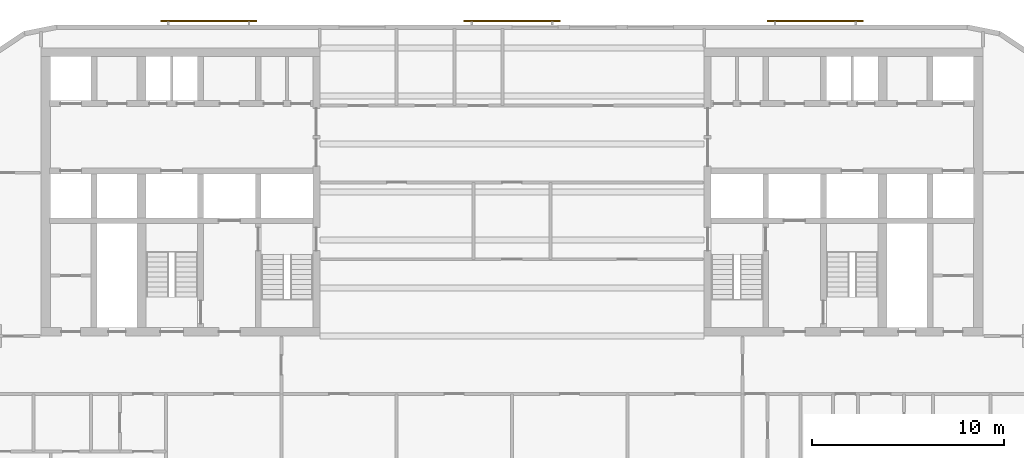
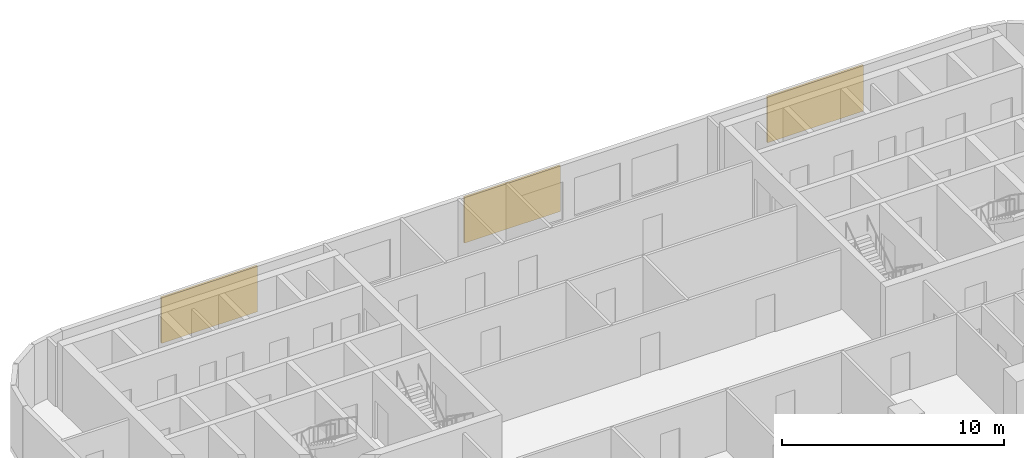
# One storey, part 11 of 12: 3 shading devices.
"""IFC4 building model written with IfcOpenShell, lengths in metres."""

from ifc_helpers import new_model, si_unit, direction, frame, origin, origin_2d, place, context, subcontext, project, spatial, rectangle, extrude, material, layer, layer_set, type_object, element, save


model = new_model("IFC4")

# Units and contexts
model_context = context("Model", 3, precision=1e-05, world=origin(), true_north=direction((0.0, 1.0)))
body_context = subcontext(model_context, "Body", "Model", "MODEL_VIEW")
ifc_project = project(units=[si_unit("LENGTHUNIT", "METRE"), si_unit("AREAUNIT", "SQUARE_METRE"), si_unit("VOLUMEUNIT", "CUBIC_METRE"), si_unit("PLANEANGLEUNIT", "RADIAN"), si_unit("MASSUNIT", "GRAM", prefix="KILO")], contexts=[model_context])

# Site, building, storey
site_placement = place(None, origin())
site = spatial("IfcSite", under=ifc_project, at=site_placement, CompositionType="ELEMENT")
building_placement = place(site_placement, origin())
building = spatial("IfcBuilding", under=site, at=building_placement, Name="Torana Hotel and Residences", CompositionType="ELEMENT")
storey_placement = place(building_placement, frame((0.0, 0.0, 156.0)))
storey = spatial("IfcBuildingStorey", under=building, at=storey_placement, Name="L40", CompositionType="ELEMENT", Elevation=156.0)

# Shading devices
ifc_material = material(Name="Concrete C40/50 precast", Category="concrete")
ifc_layer = layer(ifc_material, 0.10009765625)
ifc_layer_set = layer_set([ifc_layer], Name="SC1 PERFORATED BLOCK SCREEN PANEL 100")
shading_device_type = type_object("IfcShadingDeviceType", Name="SC1 PERFORATED BLOCK SCREEN PANEL 100", PredefinedType="USERDEFINED", material=ifc_layer_set)
for number, where, z_axis, x_axis, name in (
    (1, (15.78369140625, 1.39990234375, 0.5), (0.0, 0.0, 1.0), (-1.0, 0.0, 0.0), "Perforated block screen L40"),
    (2, (0.0, 1.39990234375, 0.5), (0.0, 0.0, 1.0), (-1.0, 0.0, 0.0), "Perforated block screen L40"),
    (3, (-15.78369140625, 1.39990234375, 0.5), (0.0, 0.0, 1.0), (-1.0, 0.0, 0.0), "Perforated block screen L40"),
):
    element("IfcShadingDevice", number, at=place(storey_placement, frame(where, z_axis=z_axis, x_axis=x_axis)), inside=storey, type_object=shading_device_type, Name=name, ObjectType="SCREEN", PredefinedType="USERDEFINED", context=body_context, shape_type="SweptSolid", body=[
        extrude(rectangle(XDim=5.0, YDim=0.10009765625, at=origin_2d()), origin(), (0.0, 0.0, 1.0), 2.52001953125),
    ])

save(model, "model.ifc")
